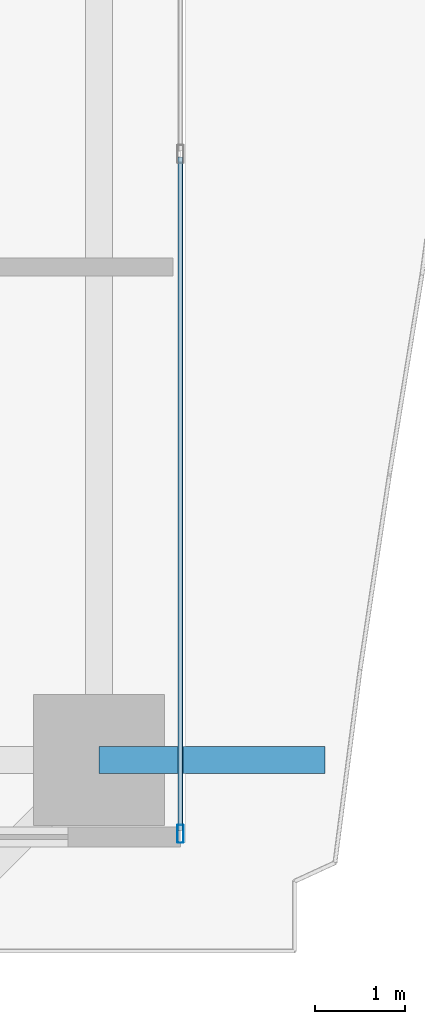
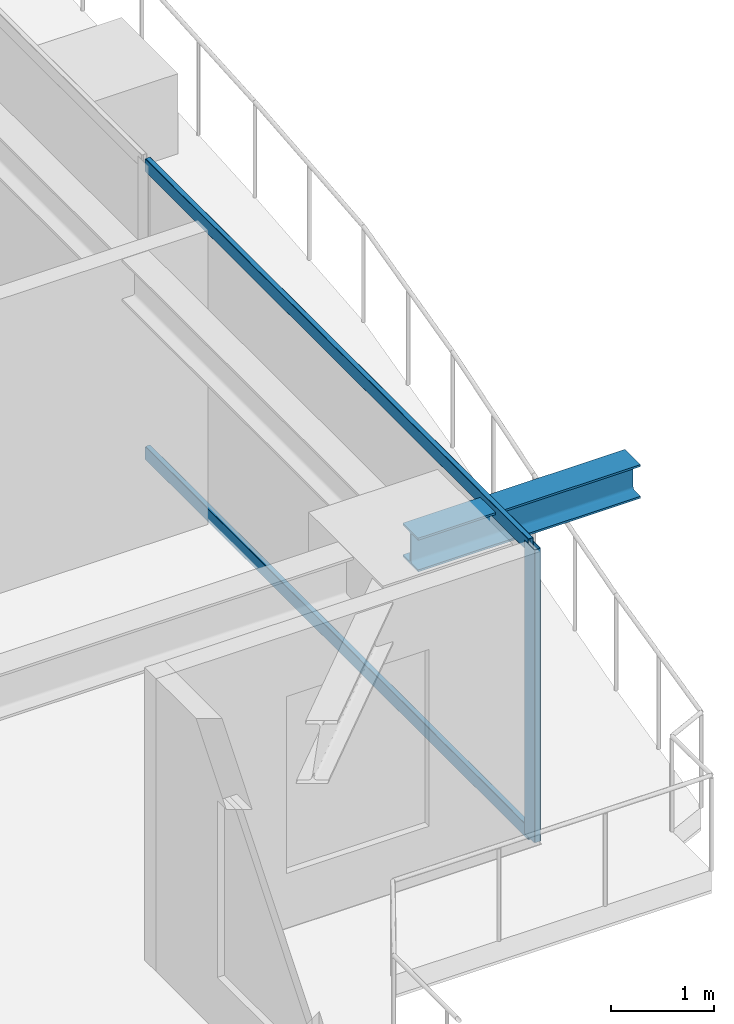
# One storey, part 13 of 39: 3 members, 1 beam, 1 element without a shape of its own.
"""IFC4 building model written with IfcOpenShell, lengths in metres."""

from ifc_helpers import new_model, si_unit, direction, frame, origin, origin_2d, place, context, subcontext, project, spatial, hollow_rectangle, i_section, extrude, source, transform, mapped, material, layer, layer_set, material_profile, profile_set, type_object, element, aggregate, save


model = new_model("IFC4")

# Units and contexts
model_context = context("Model", 3, precision=1e-05, world=origin(), true_north=direction((0.0, 1.0)))
body_context = subcontext(model_context, "Body", "Model", "MODEL_VIEW")
ifc_project = project(units=[si_unit("LENGTHUNIT", "METRE"), si_unit("AREAUNIT", "SQUARE_METRE"), si_unit("VOLUMEUNIT", "CUBIC_METRE"), si_unit("PLANEANGLEUNIT", "RADIAN"), si_unit("MASSUNIT", "GRAM", prefix="KILO")], contexts=[model_context])

# Site, building, storey
site_placement = place(None, origin())
site = spatial("IfcSite", under=ifc_project, at=site_placement, CompositionType="ELEMENT")
building_placement = place(site_placement, origin())
building = spatial("IfcBuilding", under=site, at=building_placement, Name="Serunith Strait Residences", CompositionType="ELEMENT")
storey_placement = place(building_placement, frame((0.0, 0.0, 79.199951171875)))
storey = spatial("IfcBuildingStorey", under=building, at=storey_placement, Name="L19", CompositionType="ELEMENT", Elevation=79.199951171875)

# Beam
ifc_material_1 = material(Name="Steel S355J2", Category="steel")
ifc_material_profile_1 = material_profile(ifc_material_1, i_section(OverallWidth=0.300048828125, OverallDepth=0.39990234375, WebThickness=0.013427734375, FlangeThickness=0.02392578125, FilletRadius=0.027099609375, at=origin_2d()), Name="HEB 400")
ifc_profile_set_1 = profile_set([ifc_material_profile_1], Name="Steel S355J2")
beam_type = type_object("IfcBeamType", Name="BM-HEB400", PredefinedType="BEAM", material=ifc_profile_set_1)
shared_shape_1 = source(origin(), body_context, "Body", "SweptSolid", [
    extrude(i_section(OverallWidth=0.300048828125, OverallDepth=0.39990234375, WebThickness=0.013427734375, FlangeThickness=0.02392578125, FilletRadius=0.027099609375, at=origin_2d()), origin(), (0.0, 0.0, 1.0), 2.4970703125),
])
beam_placement = place(storey_placement, frame((57.89990234375, 9.449951171875, 3.257080078125), z_axis=(1.0, 0.0, 0.0), x_axis=(0.0, 1.0, 0.0)))
element("IfcBeam", 1, at=beam_placement, inside=storey, type_object=beam_type, Name="L20 Cantilevered Balcony Rib TC-E1", PredefinedType="BEAM", context=body_context, shape_type="MappedRepresentation", body=[
    mapped(shared_shape_1, transform((0.0, 0.0, 0.0), scale=1.0)),
])

# Curtain wall, members
ifc_material_2 = material(Name="Pale-Champagne Anodised Aluminium", Category="aluminium")
ifc_layer = layer(ifc_material_2, 0.199951171875, Name="Pale-Champagne Anodised Aluminium")
ifc_layer_set = layer_set([ifc_layer], Name="Pale-Champagne Anodised Aluminium")
curtain_wall_type = type_object("IfcCurtainWallType", Name="CW-SYS1", PredefinedType="NOTDEFINED", material=ifc_layer_set)
curtain_wall_placement = place(storey_placement, origin())
curtain_wall = element("IfcCurtainWall", 2, at=curtain_wall_placement, inside=storey, type_object=curtain_wall_type, Name="L19 E Unitised Fritted Curtain Wall", PredefinedType="NOTDEFINED")
ifc_material_profile_2 = material_profile(ifc_material_2, hollow_rectangle(XDim=0.070068359375, YDim=0.199951171875, WallThickness=0.00390625, InnerFilletRadius=0.006103515625, OuterFilletRadius=0.010009765625, at=origin_2d()), Name="ALU 200x70x4")
ifc_profile_set_2 = profile_set([ifc_material_profile_2], Name="Pale-Champagne Anodised Aluminium")
member_type_1 = type_object("IfcMemberType", Name="CW-SYS1-MULL", PredefinedType="MULLION", material=ifc_profile_set_2)
shared_shape_2 = source(origin(), body_context, "Body", "SweptSolid", [
    extrude(hollow_rectangle(XDim=0.070068359375, YDim=0.199951171875, WallThickness=0.00390625, InnerFilletRadius=0.006103515625, OuterFilletRadius=0.010009765625, at=origin_2d()), origin(), (0.0, 0.0, 1.0), 3.47509765625),
])
member_1_placement = place(storey_placement, frame((58.800048828125, 8.635009765625, 0.0), z_axis=(0.0, 0.0, 1.0), x_axis=(-1.0, 0.0, 0.0)))
member_1 = element("IfcMember", 3, at=member_1_placement, type_object=member_type_1, Name="CW-1 mullion 1", PredefinedType="MULLION", context=body_context, shape_type="MappedRepresentation", body=[
    mapped(shared_shape_2, transform((0.0, 0.0, 0.0), scale=1.0)),
])
ifc_material_profile_3 = material_profile(ifc_material_2, hollow_rectangle(XDim=0.06005859375, YDim=0.159912109375, WallThickness=0.00341796875, InnerFilletRadius=0.00537109375, OuterFilletRadius=0.0087890625, at=origin_2d()), Name="ALU 160x60x3.5")
ifc_profile_set_3 = profile_set([ifc_material_profile_3], Name="Pale-Champagne Anodised Aluminium")
member_type_2 = type_object("IfcMemberType", Name="CW-SYS1-TRAN", PredefinedType="USERDEFINED", material=ifc_profile_set_3)
shared_shape_3 = source(origin(), body_context, "Body", "SweptSolid", [
    extrude(hollow_rectangle(XDim=0.06005859375, YDim=0.159912109375, WallThickness=0.00341796875, InnerFilletRadius=0.00537109375, OuterFilletRadius=0.0087890625, at=origin_2d()), origin(), (0.0, 0.0, 1.0), 7.445068359375),
])
member_2_placement = place(storey_placement, frame((58.800048828125, 8.669921875, 0.030029296875), z_axis=(0.0, 1.0, 0.0), x_axis=(-1.0, 0.0, 0.0)))
member_2 = element("IfcMember", 4, at=member_2_placement, type_object=member_type_2, Name="CW-1 transom 1.1", ObjectType="TRANSOM", PredefinedType="USERDEFINED", context=body_context, shape_type="MappedRepresentation", body=[
    mapped(shared_shape_3, transform((0.0, 0.0, 0.0), scale=1.0)),
])
member_3_placement = place(storey_placement, frame((58.800048828125, 8.669921875, 3.445068359375), z_axis=(0.0, 1.0, 0.0), x_axis=(-1.0, 0.0, 0.0)))
member_3 = element("IfcMember", 5, at=member_3_placement, type_object=member_type_2, Name="CW-1 transom 1.2", ObjectType="TRANSOM", PredefinedType="USERDEFINED", context=body_context, shape_type="MappedRepresentation", body=[
    mapped(shared_shape_3, transform((0.0, 0.0, 0.0), scale=1.0)),
])
aggregate(curtain_wall, [member_1, member_2, member_3])

save(model, "model.ifc")
